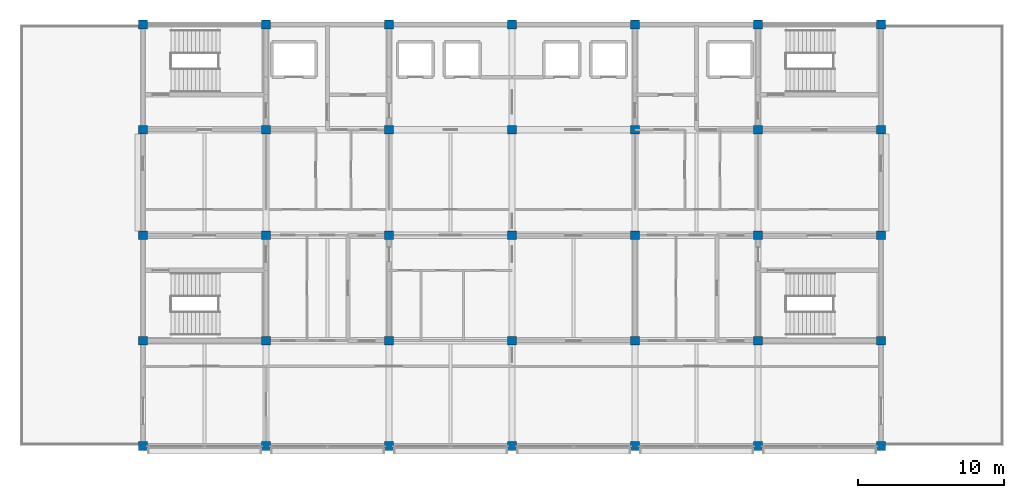
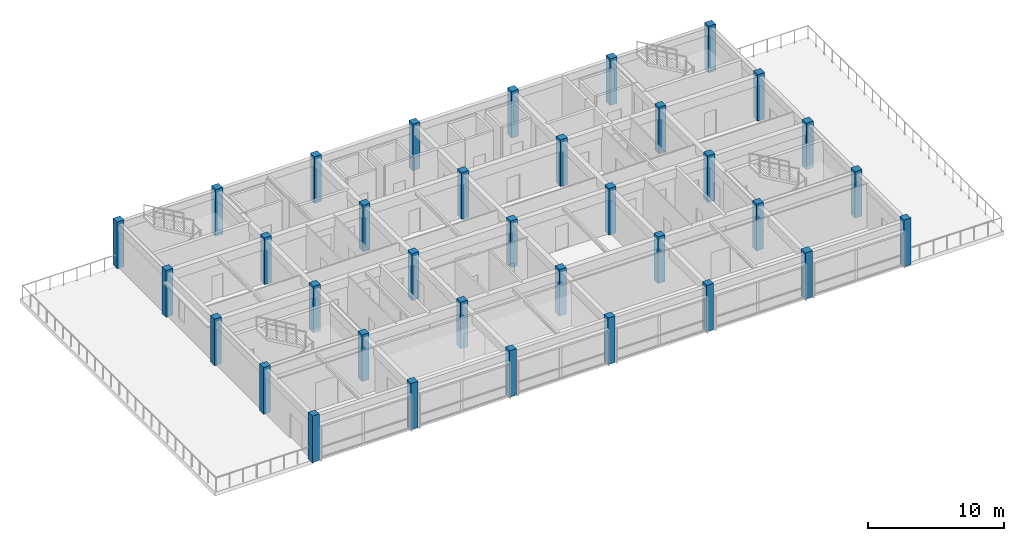
# One storey, part 1 of 13: 35 columns.
"""IFC4 building model written with IfcOpenShell, lengths in metres."""

from ifc_helpers import new_model, si_unit, direction, frame, origin, origin_2d, place, context, subcontext, project, spatial, rectangle, extrude, material, material_profile, profile_set, type_object, element, save


model = new_model("IFC4")

# Units and contexts
model_context = context("Model", 3, precision=1e-05, world=origin(), true_north=direction((0.0, 1.0)))
body_context = subcontext(model_context, "Body", "Model", "MODEL_VIEW")
ifc_project = project(units=[si_unit("LENGTHUNIT", "METRE"), si_unit("AREAUNIT", "SQUARE_METRE"), si_unit("VOLUMEUNIT", "CUBIC_METRE"), si_unit("PLANEANGLEUNIT", "RADIAN"), si_unit("MASSUNIT", "GRAM", prefix="KILO")], contexts=[model_context])

# Site, building, storey
site_placement = place(None, origin())
site = spatial("IfcSite", under=ifc_project, at=site_placement, CompositionType="ELEMENT")
building_placement = place(site_placement, origin())
building = spatial("IfcBuilding", under=site, at=building_placement, Name="Chengyuan Square Courthouse", CompositionType="ELEMENT")
storey_placement = place(building_placement, frame((0.0, 0.0, 60.300048828125)))
storey = spatial("IfcBuildingStorey", under=building, at=storey_placement, Name="L14", CompositionType="ELEMENT", Elevation=60.300048828125)

# Columns
ifc_material = material(Name="Concrete C40", Category="concrete")
ifc_material_profile = material_profile(ifc_material, rectangle(XDim=0.60009765625, YDim=0.60009765625, at=origin_2d()), Name="RC-COL-600x600")
ifc_profile_set = profile_set([ifc_material_profile], Name="Concrete C40")
column_type = type_object("IfcColumnType", Name="CL-07", PredefinedType="COLUMN", material=ifc_profile_set)
for number, where, z_axis, x_axis, name in (
    (1, (58.800048828125, 79.199951171875, 0.0), (0.0, 0.0, 1.0), (1.0, 0.0, 0.0), "Column CL-L14-001"),
    (2, (58.800048828125, 86.39990234375, 0.0), (0.0, 0.0, 1.0), (1.0, 0.0, 0.0), "Column CL-L14-002"),
    (3, (58.800048828125, 93.60009765625, 0.0), (0.0, 0.0, 1.0), (1.0, 0.0, 0.0), "Column CL-L14-003"),
    (4, (58.800048828125, 100.800048828125, 0.0), (0.0, 0.0, 1.0), (1.0, 0.0, 0.0), "Column CL-L14-004"),
    (5, (58.800048828125, 108.0, 0.0), (0.0, 0.0, 1.0), (1.0, 0.0, 0.0), "Column CL-L14-005"),
    (6, (67.199951171875, 79.199951171875, 0.0), (0.0, 0.0, 1.0), (1.0, 0.0, 0.0), "Column CL-L14-006"),
    (7, (67.199951171875, 86.39990234375, 0.0), (0.0, 0.0, 1.0), (1.0, 0.0, 0.0), "Column CL-L14-007"),
    (8, (67.199951171875, 93.60009765625, 0.0), (0.0, 0.0, 1.0), (1.0, 0.0, 0.0), "Column CL-L14-008"),
    (9, (67.199951171875, 100.800048828125, 0.0), (0.0, 0.0, 1.0), (1.0, 0.0, 0.0), "Column CL-L14-009"),
    (10, (67.199951171875, 108.0, 0.0), (0.0, 0.0, 1.0), (1.0, 0.0, 0.0), "Column CL-L14-010"),
    (11, (75.60009765625, 79.199951171875, 0.0), (0.0, 0.0, 1.0), (1.0, 0.0, 0.0), "Column CL-L14-011"),
    (12, (75.60009765625, 86.39990234375, 0.0), (0.0, 0.0, 1.0), (1.0, 0.0, 0.0), "Column CL-L14-012"),
    (13, (75.60009765625, 93.60009765625, 0.0), (0.0, 0.0, 1.0), (1.0, 0.0, 0.0), "Column CL-L14-013"),
    (14, (75.60009765625, 100.800048828125, 0.0), (0.0, 0.0, 1.0), (1.0, 0.0, 0.0), "Column CL-L14-014"),
    (15, (75.60009765625, 108.0, 0.0), (0.0, 0.0, 1.0), (1.0, 0.0, 0.0), "Column CL-L14-015"),
    (16, (84.0, 79.199951171875, 0.0), (0.0, 0.0, 1.0), (1.0, 0.0, 0.0), "Column CL-L14-016"),
    (17, (84.0, 86.39990234375, 0.0), (0.0, 0.0, 1.0), (1.0, 0.0, 0.0), "Column CL-L14-017"),
    (18, (84.0, 93.60009765625, 0.0), (0.0, 0.0, 1.0), (1.0, 0.0, 0.0), "Column CL-L14-018"),
    (19, (84.0, 100.800048828125, 0.0), (0.0, 0.0, 1.0), (1.0, 0.0, 0.0), "Column CL-L14-019"),
    (20, (84.0, 108.0, 0.0), (0.0, 0.0, 1.0), (1.0, 0.0, 0.0), "Column CL-L14-020"),
    (21, (92.39990234375, 79.199951171875, 0.0), (0.0, 0.0, 1.0), (1.0, 0.0, 0.0), "Column CL-L14-021"),
    (22, (92.39990234375, 86.39990234375, 0.0), (0.0, 0.0, 1.0), (1.0, 0.0, 0.0), "Column CL-L14-022"),
    (23, (92.39990234375, 93.60009765625, 0.0), (0.0, 0.0, 1.0), (1.0, 0.0, 0.0), "Column CL-L14-023"),
    (24, (92.39990234375, 100.800048828125, 0.0), (0.0, 0.0, 1.0), (1.0, 0.0, 0.0), "Column CL-L14-024"),
    (25, (92.39990234375, 108.0, 0.0), (0.0, 0.0, 1.0), (1.0, 0.0, 0.0), "Column CL-L14-025"),
    (26, (100.800048828125, 79.199951171875, 0.0), (0.0, 0.0, 1.0), (1.0, 0.0, 0.0), "Column CL-L14-026"),
    (27, (100.800048828125, 86.39990234375, 0.0), (0.0, 0.0, 1.0), (1.0, 0.0, 0.0), "Column CL-L14-027"),
    (28, (100.800048828125, 93.60009765625, 0.0), (0.0, 0.0, 1.0), (1.0, 0.0, 0.0), "Column CL-L14-028"),
    (29, (100.800048828125, 100.800048828125, 0.0), (0.0, 0.0, 1.0), (1.0, 0.0, 0.0), "Column CL-L14-029"),
    (30, (100.800048828125, 108.0, 0.0), (0.0, 0.0, 1.0), (1.0, 0.0, 0.0), "Column CL-L14-030"),
    (31, (109.199951171875, 79.199951171875, 0.0), (0.0, 0.0, 1.0), (1.0, 0.0, 0.0), "Column CL-L14-031"),
    (32, (109.199951171875, 86.39990234375, 0.0), (0.0, 0.0, 1.0), (1.0, 0.0, 0.0), "Column CL-L14-032"),
    (33, (109.199951171875, 93.60009765625, 0.0), (0.0, 0.0, 1.0), (1.0, 0.0, 0.0), "Column CL-L14-033"),
    (34, (109.199951171875, 100.800048828125, 0.0), (0.0, 0.0, 1.0), (1.0, 0.0, 0.0), "Column CL-L14-034"),
    (35, (109.199951171875, 108.0, 0.0), (0.0, 0.0, 1.0), (1.0, 0.0, 0.0), "Column CL-L14-035"),
):
    element("IfcColumn", number, at=place(storey_placement, frame(where, z_axis=z_axis, x_axis=x_axis)), inside=storey, type_object=column_type, Name=name, PredefinedType="COLUMN", context=body_context, shape_type="SweptSolid", body=[
        extrude(rectangle(XDim=0.60009765625, YDim=0.60009765625, at=origin_2d()), origin(), (0.0, 0.0, 1.0), 4.199951171875),
    ])

save(model, "model.ifc")
